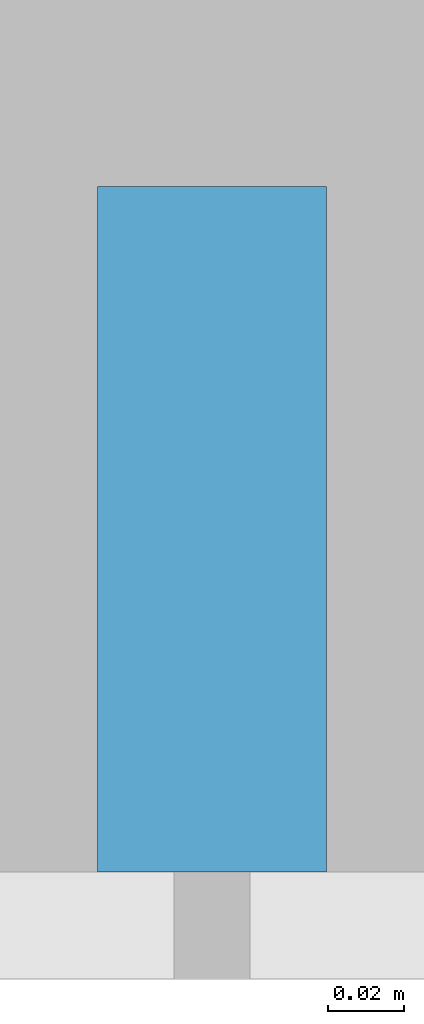
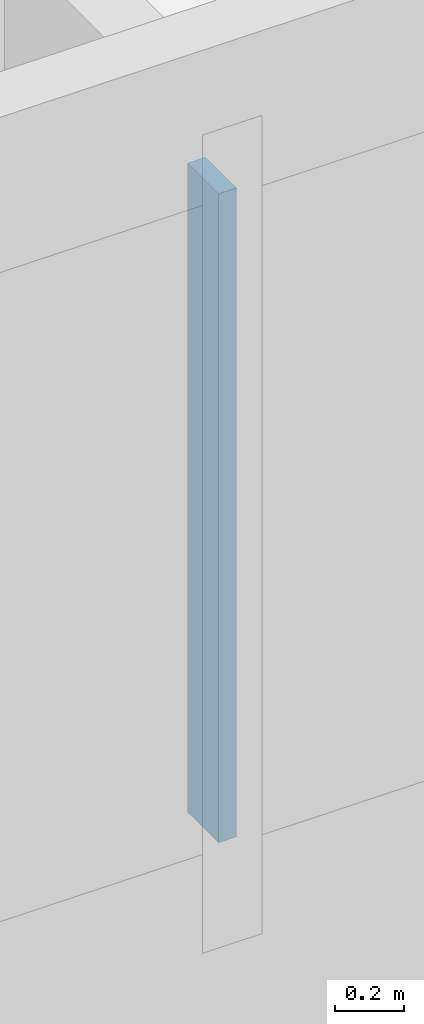
# One storey, part 5 of 26: 1 member, 1 element without a shape of its own.
"""IFC4 building model written with IfcOpenShell, lengths in metres."""

from ifc_helpers import new_model, si_unit, direction, frame, origin, origin_2d, place, context, subcontext, project, spatial, rectangle, extrude, material, layer, layer_set, material_profile, profile_set, type_object, element, aggregate, save


model = new_model("IFC4")

# Units and contexts
model_context = context("Model", 3, precision=1e-05, world=origin(), true_north=direction((0.0, 1.0)))
body_context = subcontext(model_context, "Body", "Model", "MODEL_VIEW")
ifc_project = project(units=[si_unit("LENGTHUNIT", "METRE"), si_unit("AREAUNIT", "SQUARE_METRE"), si_unit("VOLUMEUNIT", "CUBIC_METRE"), si_unit("PLANEANGLEUNIT", "RADIAN"), si_unit("MASSUNIT", "GRAM", prefix="KILO")], contexts=[model_context])

# Site, building, storey
site_placement = place(None, origin())
site = spatial("IfcSite", under=ifc_project, at=site_placement, CompositionType="ELEMENT")
building_placement = place(site_placement, origin())
building = spatial("IfcBuilding", under=site, at=building_placement, Name="Hakoniwa Tower and Hamabe Station Hall", CompositionType="ELEMENT")
storey_placement = place(building_placement, frame((0.0, 0.0, 225.0)))
storey = spatial("IfcBuildingStorey", under=building, at=storey_placement, Name="L64", CompositionType="ELEMENT", Elevation=225.0)

# Curtain wall, member
ifc_material_1 = material(Name="Dark low-e laminated glass", Category="glass")
ifc_layer = layer(ifc_material_1, 0.199951171875)
ifc_layer_set = layer_set([ifc_layer], Name="CW-1 UNITISED GUEST")
curtain_wall_type = type_object("IfcCurtainWallType", Name="CW-1 UNITISED GUEST", PredefinedType="NOTDEFINED", material=ifc_layer_set)
curtain_wall_placement = place(storey_placement, origin())
curtain_wall = element("IfcCurtainWall", 1, at=curtain_wall_placement, inside=storey, type_object=curtain_wall_type, Name="CW-1 curtain wall", PredefinedType="NOTDEFINED")
ifc_material_2 = material(Name="Aluminium 6063-T5 black anodised", Category="aluminium")
ifc_material_profile = material_profile(ifc_material_2, rectangle(XDim=0.06005859375, YDim=0.179931640625, at=origin_2d()), Name="CW-1 MULLION 60X180")
ifc_profile_set = profile_set([ifc_material_profile], Name="Aluminium 6063-T5 black anodised")
member_type = type_object("IfcMemberType", Name="CW-1 MULLION 60X180", PredefinedType="MULLION", material=ifc_profile_set)
member_placement = place(storey_placement, frame((16.800048828125, -15.431884765625, 0.35009765625), z_axis=(0.0, 0.0, 1.0), x_axis=(1.0, 0.0, 0.0)))
member = element("IfcMember", 2, at=member_placement, type_object=member_type, Name="CW-1 mullion", PredefinedType="MULLION", context=body_context, shape_type="SweptSolid", body=[
    extrude(rectangle(XDim=0.06005859375, YDim=0.179931640625, at=origin_2d()), origin(), (0.0, 0.0, 1.0), 2.2998046875),
])
aggregate(curtain_wall, [member])

save(model, "model.ifc")
